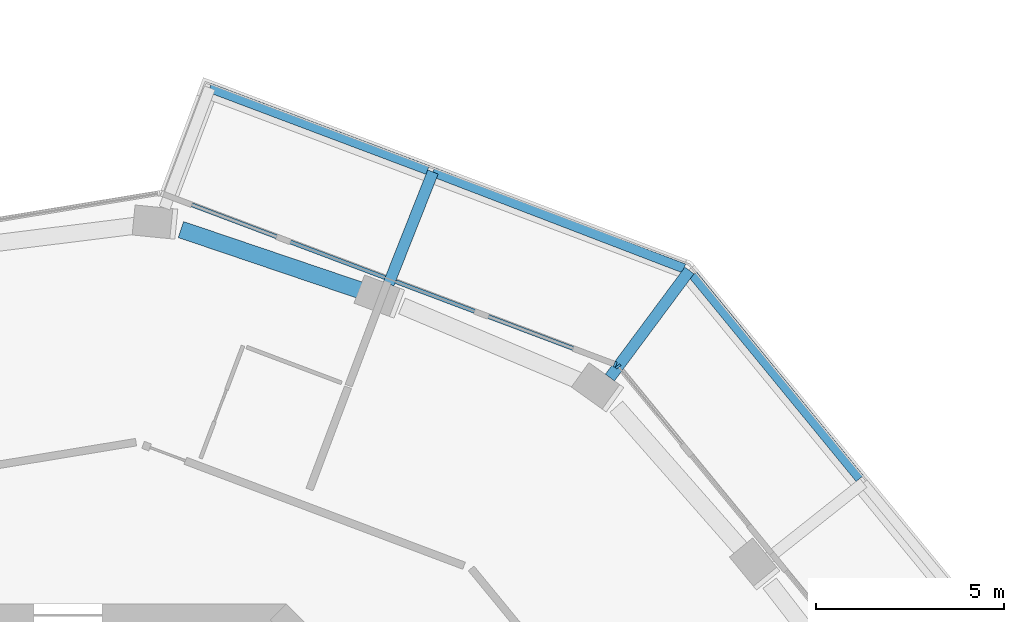
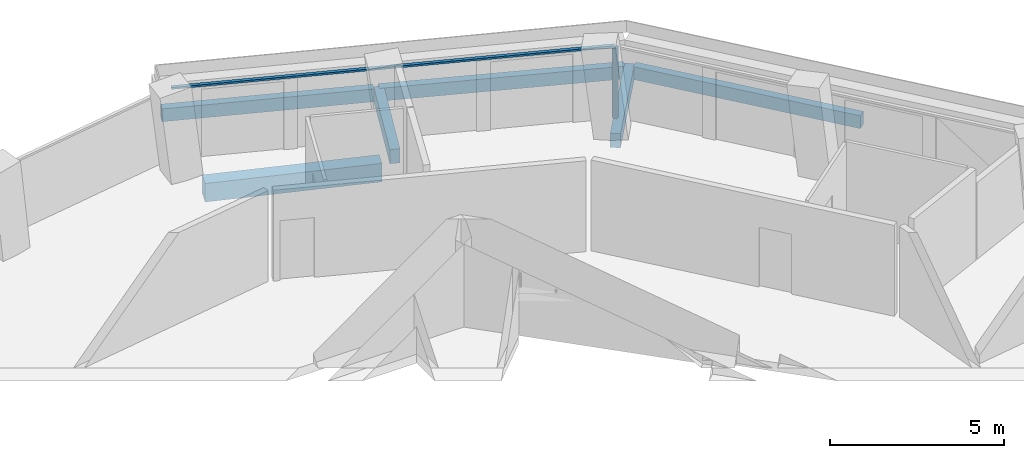
# One storey, part 9 of 21: 6 beams, 3 members, 2 elements without a shape of their own.
"""IFC4 building model written with IfcOpenShell, lengths in metres."""

from ifc_helpers import new_model, si_unit, direction, frame, origin, origin_2d, place, context, subcontext, project, spatial, rectangle, extrude, material, layer, layer_set, material_profile, profile_set, type_object, element, aggregate, save


model = new_model("IFC4")

# Units and contexts
model_context = context("Model", 3, precision=1e-05, world=origin(), true_north=direction((0.0, 1.0)))
body_context = subcontext(model_context, "Body", "Model", "MODEL_VIEW")
ifc_project = project(units=[si_unit("LENGTHUNIT", "METRE"), si_unit("AREAUNIT", "SQUARE_METRE"), si_unit("VOLUMEUNIT", "CUBIC_METRE"), si_unit("PLANEANGLEUNIT", "RADIAN"), si_unit("MASSUNIT", "GRAM", prefix="KILO")], contexts=[model_context])

# Site, building, storey
site_placement = place(None, origin())
site = spatial("IfcSite", under=ifc_project, at=site_placement, CompositionType="ELEMENT")
building_placement = place(site_placement, origin())
building = spatial("IfcBuilding", under=site, at=building_placement, Name="Verdalira Terraces Hotel", CompositionType="ELEMENT")
storey_placement = place(building_placement, frame((0.0, 0.0, 194.0)))
storey = spatial("IfcBuildingStorey", under=building, at=storey_placement, Name="L47", CompositionType="ELEMENT", Elevation=194.0)

# Beams
ifc_material_1 = material(Name="Concrete C40", Category="concrete")
ifc_material_profile_1 = material_profile(ifc_material_1, rectangle(XDim=0.300049, YDim=0.5, at=origin_2d()), Name="RC 300X500")
ifc_profile_set_1 = profile_set([ifc_material_profile_1], Name="Concrete C40")
beam_type_1 = type_object("IfcBeamType", Name="Balcony cantilever beam RC 300X500 C40", PredefinedType="BEAM", material=ifc_profile_set_1)
beam_1_placement = place(storey_placement, frame((14.400635, 20.011719, -0.560059), z_axis=(0.596246646, 0.802801306, 0.0), x_axis=(-0.802801306, 0.596246646, 0.0)))
element("IfcBeam", 1, at=beam_1_placement, inside=storey, type_object=beam_type_1, Name="Balcony cantilever beam R39-3", PredefinedType="BEAM", context=body_context, shape_type="SweptSolid", body=[
    extrude(rectangle(XDim=0.300049, YDim=0.5, at=origin_2d()), origin(), (0.0, 0.0, 1.0), 3.544678),
])
beam_2_placement = place(storey_placement, frame((8.519287, 22.499023, -0.560059), z_axis=(0.368166591, 0.92975984, 0.0), x_axis=(-0.92975984, 0.368166591, 0.0)))
element("IfcBeam", 2, at=beam_2_placement, inside=storey, type_object=beam_type_1, Name="Balcony cantilever beam R39-4", PredefinedType="BEAM", context=body_context, shape_type="SweptSolid", body=[
    extrude(rectangle(XDim=0.300049, YDim=0.5, at=origin_2d()), origin(), (0.0, 0.0, 1.0), 3.200928),
])
ifc_material_2 = material(Name="Concrete C40", Category="concrete")
ifc_material_profile_2 = material_profile(ifc_material_2, rectangle(XDim=0.25, YDim=0.449951, at=origin_2d()), Name="RC 250X450")
ifc_profile_set_2 = profile_set([ifc_material_profile_2], Name="Concrete C40")
beam_type_2 = type_object("IfcBeamType", Name="Balcony edge beam RC 250X450 C40", PredefinedType="BEAM", material=ifc_profile_set_2)
beam_3_placement = place(storey_placement, frame((21.041016, 17.329346, -0.534912), z_axis=(-0.633568652, 0.773686476, 0.0), x_axis=(-0.773686476, -0.633568652, 0.0)))
element("IfcBeam", 3, at=beam_3_placement, inside=storey, type_object=beam_type_2, Name="Balcony edge beam R39-2", PredefinedType="BEAM", context=body_context, shape_type="SweptSolid", body=[
    extrude(rectangle(XDim=0.25, YDim=0.449951, at=origin_2d()), origin(), (0.0, 0.0, 1.0), 6.990479),
])
beam_4_placement = place(storey_placement, frame((16.368652, 22.91333, -0.534912), z_axis=(-0.933531277, 0.358495963, 0.0), x_axis=(-0.358495963, -0.933531277, 0.0)))
element("IfcBeam", 4, at=beam_4_placement, inside=storey, type_object=beam_type_2, Name="Balcony edge beam R39-3", PredefinedType="BEAM", context=body_context, shape_type="SweptSolid", body=[
    extrude(rectangle(XDim=0.25, YDim=0.449951, at=origin_2d()), origin(), (0.0, 0.0, 1.0), 7.145996),
])
beam_5_placement = place(storey_placement, frame((9.557373, 25.528076, -0.534912), z_axis=(-0.935822344, 0.352472041, 0.0), x_axis=(-0.352472041, -0.935822344, 0.0)))
element("IfcBeam", 5, at=beam_5_placement, inside=storey, type_object=beam_type_2, Name="Balcony edge beam R39-4", PredefinedType="BEAM", context=body_context, shape_type="SweptSolid", body=[
    extrude(rectangle(XDim=0.25, YDim=0.449951, at=origin_2d()), origin(), (0.0, 0.0, 1.0), 6.188232),
])

# Curtain wall, member
ifc_material_3 = material(Name="Clear glass", Category="glass")
ifc_layer = layer(ifc_material_3, 0.14990234375)
ifc_layer_set = layer_set([ifc_layer], Name="CW1 curtain wall")
curtain_wall_type = type_object("IfcCurtainWallType", Name="CW1 curtain wall", PredefinedType="NOTDEFINED", material=ifc_layer_set)
curtain_wall_1_placement = place(storey_placement, origin())
curtain_wall_1 = element("IfcCurtainWall", 6, at=curtain_wall_1_placement, inside=storey, type_object=curtain_wall_type, Name="CW1 curtain wall L47 edge 39", PredefinedType="NOTDEFINED")
ifc_material_4 = material(Name="Terracotta frame", Category="masonry")
ifc_material_profile_3 = material_profile(ifc_material_4, rectangle(XDim=0.060059, YDim=0.149902, at=origin_2d()), Name="MU 60x150")
ifc_profile_set_3 = profile_set([ifc_material_profile_3], Name="Terracotta frame")
member_type_1 = type_object("IfcMemberType", Name="CW1 mullion 60x150", PredefinedType="MULLION", material=ifc_profile_set_3)
member_1_placement = place(storey_placement, frame((14.620361, 20.308105, 0.0), z_axis=(0.0, 0.0, 1.0), x_axis=(-0.634190889, 0.773176511, 0.0)))
member_1 = element("IfcMember", 7, at=member_1_placement, type_object=member_type_1, Name="CW1 mullion", PredefinedType="MULLION", context=body_context, shape_type="SweptSolid", body=[
    extrude(rectangle(XDim=0.060059, YDim=0.149902, at=origin_2d()), origin(), (0.0, 0.0, 1.0), 2.475098),
])
aggregate(curtain_wall_1, [member_1])

# Curtain wall, members
curtain_wall_2_placement = place(storey_placement, origin())
curtain_wall_2 = element("IfcCurtainWall", 8, at=curtain_wall_2_placement, inside=storey, type_object=curtain_wall_type, Name="CW1 curtain wall L47 edge 40", PredefinedType="NOTDEFINED")
member_2_placement = place(storey_placement, frame((14.541504, 20.364502, 0.0), z_axis=(0.0, 0.0, 1.0), x_axis=(-0.935813676, 0.352495055, 0.0)))
member_2 = element("IfcMember", 9, at=member_2_placement, type_object=member_type_1, Name="CW1 mullion", PredefinedType="MULLION", context=body_context, shape_type="SweptSolid", body=[
    extrude(rectangle(XDim=0.060059, YDim=0.149902, at=origin_2d()), origin(), (0.0, 0.0, 1.0), 2.475098),
])
ifc_material_5 = material(Name="Terracotta frame", Category="masonry")
ifc_material_profile_4 = material_profile(ifc_material_5, rectangle(XDim=0.110107, YDim=0.064941, at=origin_2d()), Name="TR 65x110")
ifc_profile_set_4 = profile_set([ifc_material_profile_4], Name="Terracotta frame")
member_type_2 = type_object("IfcMemberType", Name="CW1 transom 65x110", PredefinedType="USERDEFINED", material=ifc_profile_set_4)
member_3_placement = place(storey_placement, frame((14.56958, 20.354004, 2.507568), z_axis=(-0.935810957, 0.352502274, 0.0), x_axis=(-0.352502274, -0.935810957, 0.0)))
member_3 = element("IfcMember", 10, at=member_3_placement, type_object=member_type_2, Name="CW1 transom", ObjectType="TRANSOM", PredefinedType="USERDEFINED", context=body_context, shape_type="SweptSolid", body=[
    extrude(rectangle(XDim=0.110107, YDim=0.064941, at=origin_2d()), origin(), (0.0, 0.0, 1.0), 12.919678),
])
aggregate(curtain_wall_2, [member_2, member_3])

# Beam
ifc_material_6 = material(Name="Concrete C50", Category="concrete")
ifc_material_profile_5 = material_profile(ifc_material_6, rectangle(XDim=0.449951, YDim=0.649902, at=origin_2d()), Name="RC 450X650")
ifc_profile_set_5 = profile_set([ifc_material_profile_5], Name="Concrete C50")
beam_type_3 = type_object("IfcBeamType", Name="Spandrel beam RC 450X650 C50", PredefinedType="SPANDREL", material=ifc_profile_set_5)
beam_6_placement = place(storey_placement, frame((7.914551, 22.280518, -0.63501), z_axis=(-0.947114599, 0.320895523, 0.0), x_axis=(-0.320895523, -0.947114599, 0.0)))
element("IfcBeam", 11, at=beam_6_placement, inside=storey, type_object=beam_type_3, Name="Spandrel beam B21", PredefinedType="SPANDREL", context=body_context, shape_type="SweptSolid", body=[
    extrude(rectangle(XDim=0.449951, YDim=0.649902, at=origin_2d()), origin(), (0.0, 0.0, 1.0), 5.189453),
])

save(model, "model.ifc")
